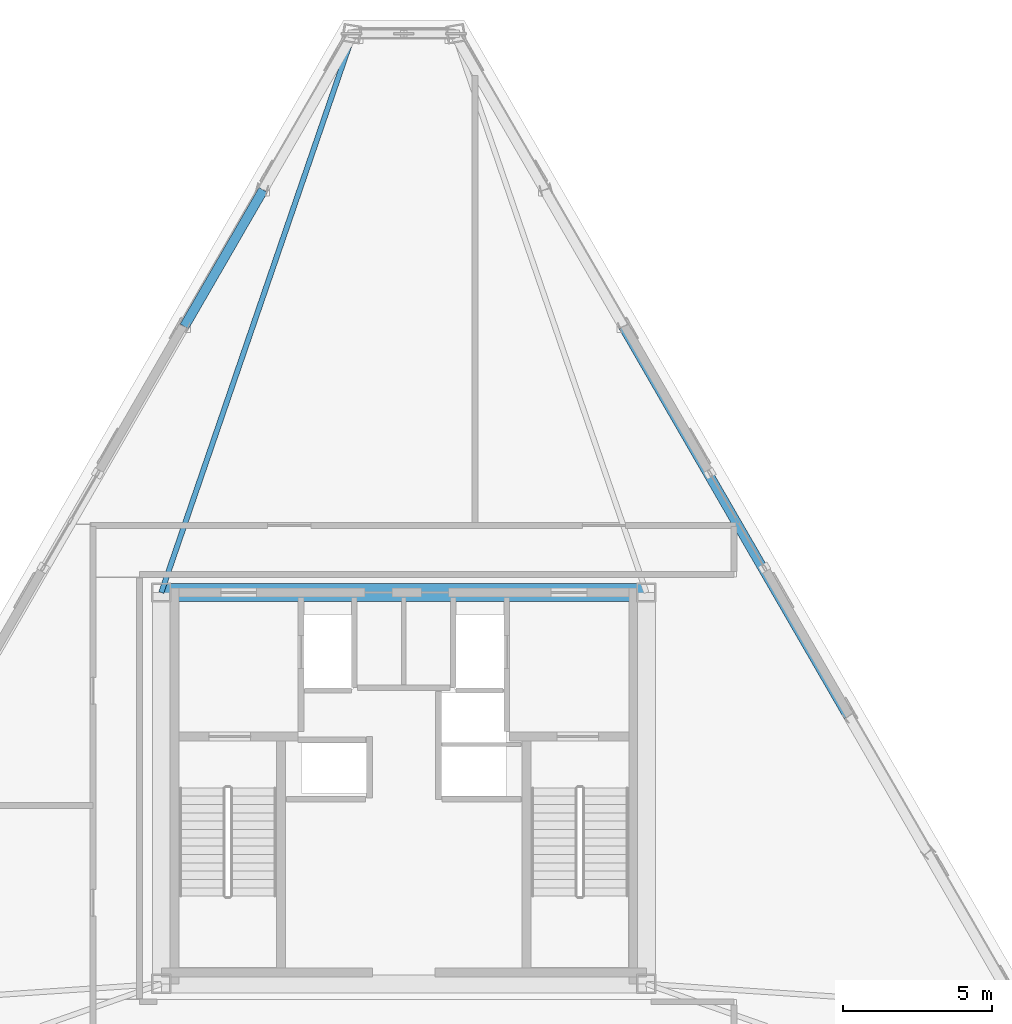
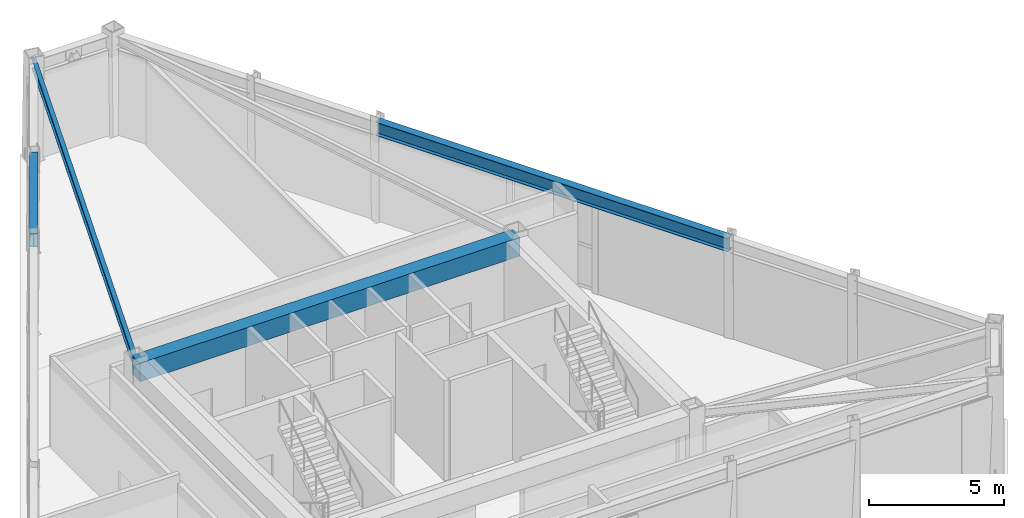
# One storey, part 5 of 12: 4 beams.
"""IFC4 building model written with IfcOpenShell, lengths in metres."""

from ifc_helpers import new_model, si_unit, direction, frame, origin, origin_2d, place, context, subcontext, project, spatial, rectangle, i_section, extrude, material, material_profile, profile_set, type_object, element, save


model = new_model("IFC4")

# Units and contexts
model_context = context("Model", 3, precision=1e-05, world=origin(), true_north=direction((0.0, 1.0)))
body_context = subcontext(model_context, "Body", "Model", "MODEL_VIEW")
ifc_project = project(units=[si_unit("LENGTHUNIT", "METRE"), si_unit("AREAUNIT", "SQUARE_METRE"), si_unit("VOLUMEUNIT", "CUBIC_METRE"), si_unit("PLANEANGLEUNIT", "RADIAN"), si_unit("MASSUNIT", "GRAM", prefix="KILO")], contexts=[model_context])

# Site, building, storey
site_placement = place(None, origin())
site = spatial("IfcSite", under=ifc_project, at=site_placement, CompositionType="ELEMENT")
building_placement = place(site_placement, origin())
building = spatial("IfcBuilding", under=site, at=building_placement, Name="Oramaril Tower", CompositionType="ELEMENT")
storey_placement = place(building_placement, frame((0.0, 0.0, 314.10009765625)))
storey = spatial("IfcBuildingStorey", under=building, at=storey_placement, Name="L82", CompositionType="ELEMENT", Elevation=314.10009765625)

# Beams
ifc_material_1 = material(Name="Concrete C50/60", Category="concrete")
ifc_material_profile_1 = material_profile(ifc_material_1, rectangle(XDim=0.60009765625, YDim=0.85009765625, at=origin_2d()), Name="CB600X850")
ifc_profile_set_1 = profile_set([ifc_material_profile_1], Name="Concrete C50/60")
beam_type_1 = type_object("IfcBeamType", Name="BT-CB2", PredefinedType="BEAM", material=ifc_profile_set_1)
beam_1_placement = place(storey_placement, frame((45.64990234375, 24.14990234375, 4.114990234375), z_axis=(-1.0, 0.0, 0.0), x_axis=(0.0, -1.0, 0.0)))
element("IfcBeam", 1, at=beam_1_placement, inside=storey, type_object=beam_type_1, Name="L82 Core Header Beam CB-3", PredefinedType="BEAM", context=body_context, shape_type="SweptSolid", body=[
    extrude(rectangle(XDim=0.60009765625, YDim=0.85009765625, at=origin_2d()), origin(), (0.0, 0.0, 1.0), 16.2998046875),
])
ifc_material_2 = material(Name="Steel ASTM A572 Gr 50", Category="steel")
ifc_material_profile_2 = material_profile(ifc_material_2, i_section(OverallWidth=0.177978515625, OverallDepth=0.404052734375, WebThickness=0.007568359375, FlangeThickness=0.010986328125, at=origin_2d()), Name="W16X36")
ifc_profile_set_2 = profile_set([ifc_material_profile_2], Name="Steel ASTM A572 Gr 50")
beam_type_2 = type_object("IfcBeamType", Name="BT-SB1", PredefinedType="BEAM", material=ifc_profile_set_2)
beam_2_placement = place(storey_placement, frame((29.35009765625, 24.14990234375, 4.337890625), z_axis=(0.325044703375, 0.945698652218, 0.0), x_axis=(-0.945698652218, 0.325044703375, 0.0)))
element("IfcBeam", 2, at=beam_2_placement, inside=storey, type_object=beam_type_2, Name="L82 Radial Primary Beam RB-06", PredefinedType="BEAM", context=body_context, shape_type="SweptSolid", body=[
    extrude(i_section(OverallWidth=0.177978515625, OverallDepth=0.404052734375, WebThickness=0.007568359375, FlangeThickness=0.010986328125, at=origin_2d()), origin(), (0.0, 0.0, 1.0), 19.847900390625),
])
ifc_material_3 = material(Name="Steel ASTM A572 Gr 50", Category="steel")
ifc_material_profile_3 = material_profile(ifc_material_3, i_section(OverallWidth=0.324951171875, OverallDepth=0.612060546875, WebThickness=0.0126953125, FlangeThickness=0.01904296875, at=origin_2d()), Name="W24X104")
ifc_profile_set_3 = profile_set([ifc_material_profile_3], Name="Steel ASTM A572 Gr 50")
beam_type_3 = type_object("IfcBeamType", Name="BT-SP5", PredefinedType="SPANDREL", material=ifc_profile_set_3)
beam_3_placement = place(storey_placement, frame((52.43798828125, 19.98876953125, 4.23388671875), z_axis=(-0.500005522576, 0.8660222153, 0.0), x_axis=(-0.8660222153, -0.500005522576, 0.0)))
element("IfcBeam", 3, at=beam_3_placement, inside=storey, type_object=beam_type_3, Name="L82 Perimeter Spandrel 10", PredefinedType="SPANDREL", context=body_context, shape_type="SweptSolid", body=[
    extrude(i_section(OverallWidth=0.324951171875, OverallDepth=0.612060546875, WebThickness=0.0126953125, FlangeThickness=0.01904296875, at=origin_2d()), origin(), (0.0, 0.0, 1.0), 15.130615234375),
])
beam_4_placement = place(storey_placement, frame((32.775390625, 37.6787109375, 4.23388671875), z_axis=(-0.499996467947, -0.866027443007, 0.0), x_axis=(0.866027443007, -0.499996467947, 0.0)))
element("IfcBeam", 4, at=beam_4_placement, inside=storey, type_object=beam_type_3, Name="L82 Perimeter Spandrel 15", PredefinedType="SPANDREL", context=body_context, shape_type="SweptSolid", body=[
    extrude(i_section(OverallWidth=0.324951171875, OverallDepth=0.612060546875, WebThickness=0.0126953125, FlangeThickness=0.01904296875, at=origin_2d()), origin(), (0.0, 0.0, 1.0), 5.2958984375),
])

save(model, "model.ifc")
